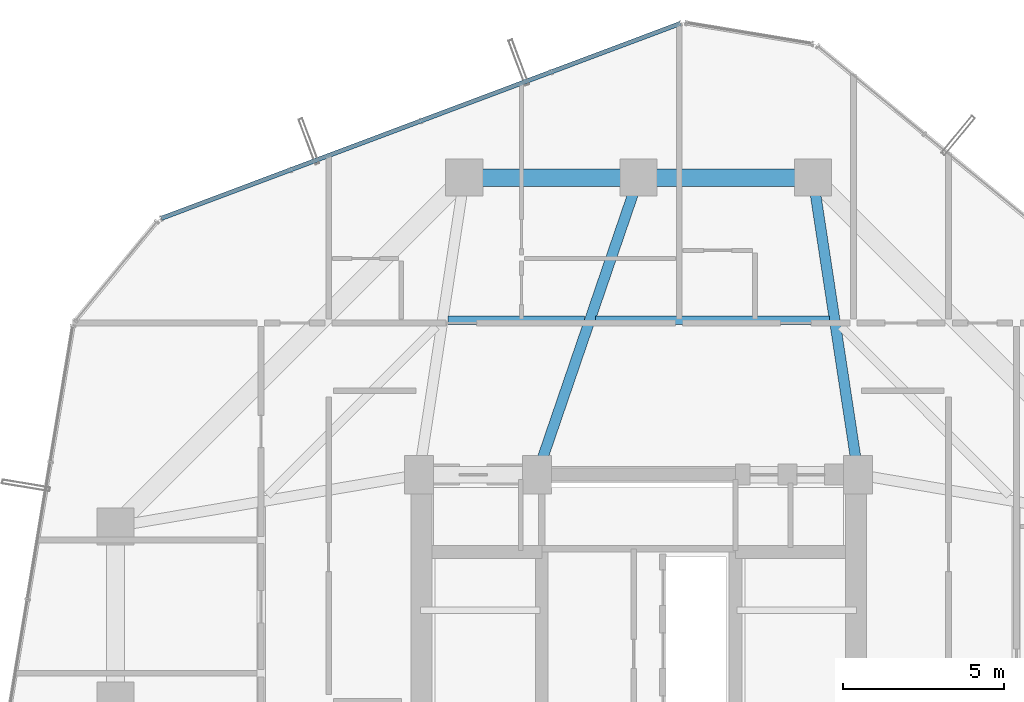
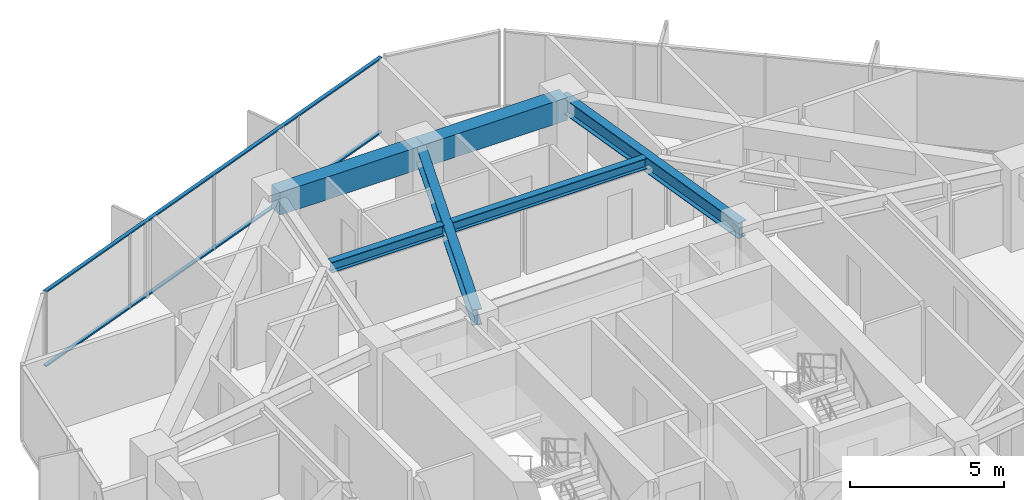
# One storey, part 21 of 30: 6 beams, 2 members, 1 element without a shape of its own.
"""IFC4 building model written with IfcOpenShell, lengths in metres."""

from ifc_helpers import new_model, si_unit, direction, frame, origin, origin_2d, place, context, subcontext, project, spatial, rectangle, hollow_rectangle, i_section, extrude, source, transform, mapped, material, layer, layer_set, material_profile, profile_set, type_object, element, aggregate, save


model = new_model("IFC4")

# Units and contexts
model_context = context("Model", 3, precision=1e-05, world=origin(), true_north=direction((0.0, 1.0)))
body_context = subcontext(model_context, "Body", "Model", "MODEL_VIEW")
ifc_project = project(units=[si_unit("LENGTHUNIT", "METRE"), si_unit("AREAUNIT", "SQUARE_METRE"), si_unit("VOLUMEUNIT", "CUBIC_METRE"), si_unit("PLANEANGLEUNIT", "RADIAN"), si_unit("MASSUNIT", "GRAM", prefix="KILO")], contexts=[model_context])

# Site, building, storey
site_placement = place(None, origin())
site = spatial("IfcSite", under=ifc_project, at=site_placement, CompositionType="ELEMENT")
building_placement = place(site_placement, origin())
building = spatial("IfcBuilding", under=site, at=building_placement, Name="Veraguas Prism Commons", CompositionType="ELEMENT")
storey_placement = place(building_placement, frame((0.0, 0.0, 95.949951171875)))
storey = spatial("IfcBuildingStorey", under=building, at=storey_placement, Name="L26", CompositionType="ELEMENT", Elevation=95.949951171875)

# Beams
ifc_material_1 = material(Name="Steel ASTM A992 Grade 50", Category="steel")
ifc_material_profile_1 = material_profile(ifc_material_1, i_section(OverallWidth=0.260986328125, OverallDepth=0.419921875, WebThickness=0.01171875, FlangeThickness=0.019287109375, at=origin_2d()), Name="W410X114")
ifc_profile_set_1 = profile_set([ifc_material_profile_1], Name="Steel ASTM A992 Grade 50")
beam_type_1 = type_object("IfcBeamType", Name="Lower Floor Joist W410x114", PredefinedType="JOIST", material=ifc_profile_set_1)
beam_1_placement = place(storey_placement, frame((29.908203125, 35.783935546875, 2.7900390625), z_axis=(-1.0, 0.0, 0.0), x_axis=(0.0, -1.0, 0.0)))
element("IfcBeam", 1, at=beam_1_placement, inside=storey, type_object=beam_type_1, Name="Composite Floor Joist L26-JS04", PredefinedType="JOIST", context=body_context, shape_type="SweptSolid", body=[
    extrude(i_section(OverallWidth=0.260986328125, OverallDepth=0.419921875, WebThickness=0.01171875, FlangeThickness=0.019287109375, at=origin_2d()), origin(), (0.0, 0.0, 1.0), 7.2490234375),
])
beam_2_placement = place(storey_placement, frame((22.31689453125, 35.783935546875, 2.7900390625), z_axis=(-1.0, 0.0, 0.0), x_axis=(0.0, -1.0, 0.0)))
element("IfcBeam", 2, at=beam_2_placement, inside=storey, type_object=beam_type_1, Name="Composite Floor Joist L26-JS05", PredefinedType="JOIST", context=body_context, shape_type="SweptSolid", body=[
    extrude(i_section(OverallWidth=0.260986328125, OverallDepth=0.419921875, WebThickness=0.01171875, FlangeThickness=0.019287109375, at=origin_2d()), origin(), (0.0, 0.0, 1.0), 4.22509765625),
])
ifc_material_2 = material(Name="Concrete C50/60", Category="concrete")
ifc_material_profile_2 = material_profile(ifc_material_2, rectangle(XDim=0.550048828125, YDim=0.89990234375, at=origin_2d()), Name="RC550X900")
ifc_profile_set_2 = profile_set([ifc_material_profile_2], Name="Concrete C50/60")
beam_type_2 = type_object("IfcBeamType", Name="Perimeter Spandrel Lower RC 550x900", PredefinedType="SPANDREL", material=ifc_profile_set_2)
for number, where, z_axis, x_axis, name in (
    (3, (29.39990234375, 40.199951171875, 2.550048828125), (-1.0, 0.0, 0.0), (0.0, -1.0, 0.0), "Perimeter Spandrel Beam L26-SP04"),
    (4, (24.0, 40.199951171875, 2.550048828125), (-1.0, 0.0, 0.0), (0.0, -1.0, 0.0), "Perimeter Spandrel Beam L26-SP05"),
):
    element("IfcBeam", number, at=place(storey_placement, frame(where, z_axis=z_axis, x_axis=x_axis)), inside=storey, type_object=beam_type_2, Name=name, PredefinedType="SPANDREL", context=body_context, shape_type="SweptSolid", body=[
        extrude(rectangle(XDim=0.550048828125, YDim=0.89990234375, at=origin_2d()), origin(), (0.0, 0.0, 1.0), 5.39990234375),
    ])
ifc_material_profile_3 = material_profile(ifc_material_1, i_section(OverallWidth=0.327880859375, OverallDepth=0.6220703125, WebThickness=0.015380859375, FlangeThickness=0.0244140625, at=origin_2d()), Name="W610X195")
ifc_profile_set_3 = profile_set([ifc_material_profile_3], Name="Steel ASTM A992 Grade 50")
beam_type_3 = type_object("IfcBeamType", Name="Zone 2 Radial Girder W610x195", PredefinedType="BEAM", material=ifc_profile_set_3)
beam_3_placement = place(storey_placement, frame((29.39990234375, 40.199951171875, 2.68896484375), z_axis=(0.150458162136, -0.98861637729, 0.0), x_axis=(0.98861637729, 0.150458162136, 0.0)))
element("IfcBeam", 5, at=beam_3_placement, inside=storey, type_object=beam_type_3, Name="Radial Floor Girder L26-RD04", PredefinedType="BEAM", context=body_context, shape_type="SweptSolid", body=[
    extrude(i_section(OverallWidth=0.327880859375, OverallDepth=0.6220703125, WebThickness=0.015380859375, FlangeThickness=0.0244140625, at=origin_2d()), origin(), (0.0, 0.0, 1.0), 9.305908203125),
])
beam_4_placement = place(storey_placement, frame((24.0, 40.199951171875, 2.68896484375), z_axis=(-0.323922482989, -0.946083624747, 0.0), x_axis=(0.946083624747, -0.323922482989, 0.0)))
element("IfcBeam", 6, at=beam_4_placement, inside=storey, type_object=beam_type_3, Name="Radial Floor Girder L26-RD05", PredefinedType="BEAM", context=body_context, shape_type="SweptSolid", body=[
    extrude(i_section(OverallWidth=0.327880859375, OverallDepth=0.6220703125, WebThickness=0.015380859375, FlangeThickness=0.0244140625, at=origin_2d()), origin(), (0.0, 0.0, 1.0), 9.724365234375),
])

# Curtain wall, members
ifc_material_3 = material(Name="Anodised aluminium EN AW-6063 T6", Category="aluminium")
ifc_layer = layer(ifc_material_3, 0.169921875, Name="Unitised Flush Curtain Wall Zone 2", Category="aluminium")
ifc_layer_set = layer_set([ifc_layer], Name="Anodised aluminium EN AW-6063 T6")
curtain_wall_type = type_object("IfcCurtainWallType", Name="Unitised Flush Curtain Wall Zone 2", PredefinedType="NOTDEFINED", material=ifc_layer_set)
curtain_wall_placement = place(storey_placement, origin())
curtain_wall = element("IfcCurtainWall", 7, at=curtain_wall_placement, inside=storey, type_object=curtain_wall_type, Name="Tower Facade Curtain Wall L26-F2", PredefinedType="NOTDEFINED")
ifc_material_profile_4 = material_profile(ifc_material_3, hollow_rectangle(XDim=0.054931640625, YDim=0.135009765625, WallThickness=0.0029296875, at=origin_2d()), Name="AL55X135X3")
ifc_profile_set_4 = profile_set([ifc_material_profile_4], Name="Anodised aluminium EN AW-6063 T6")
member_type = type_object("IfcMemberType", Name="Curtain Wall Transom Standard AL 55x135x3", PredefinedType="USERDEFINED", material=ifc_profile_set_4)
shared_shape = source(origin(), body_context, "Body", "SweptSolid", [
    extrude(hollow_rectangle(XDim=0.054931640625, YDim=0.135009765625, WallThickness=0.0029296875, at=origin_2d()), origin(), (0.0, 0.0, 1.0), 17.17431640625),
])
member_1_placement = place(storey_placement, frame((25.296142578125, 44.976806640625, 0.027587890625), z_axis=(-0.936181293766, -0.351517546081, 0.0), x_axis=(0.0, 0.0, 1.0)))
member_1 = element("IfcMember", 8, at=member_1_placement, type_object=member_type, Name="CW-Z2 Transom 1", ObjectType="TRANSOM", PredefinedType="USERDEFINED", context=body_context, shape_type="MappedRepresentation", body=[
    mapped(shared_shape, transform((0.0, 0.0, 0.0), scale=1.0)),
])
member_2_placement = place(storey_placement, frame((25.296142578125, 44.976806640625, 2.97265625), z_axis=(-0.936181293766, -0.351517546081, 0.0), x_axis=(0.0, 0.0, 1.0)))
member_2 = element("IfcMember", 9, at=member_2_placement, type_object=member_type, Name="CW-Z2 Transom 2", ObjectType="TRANSOM", PredefinedType="USERDEFINED", context=body_context, shape_type="MappedRepresentation", body=[
    mapped(shared_shape, transform((0.0, 0.0, 0.0), scale=1.0)),
])
aggregate(curtain_wall, [member_1, member_2])

save(model, "model.ifc")
